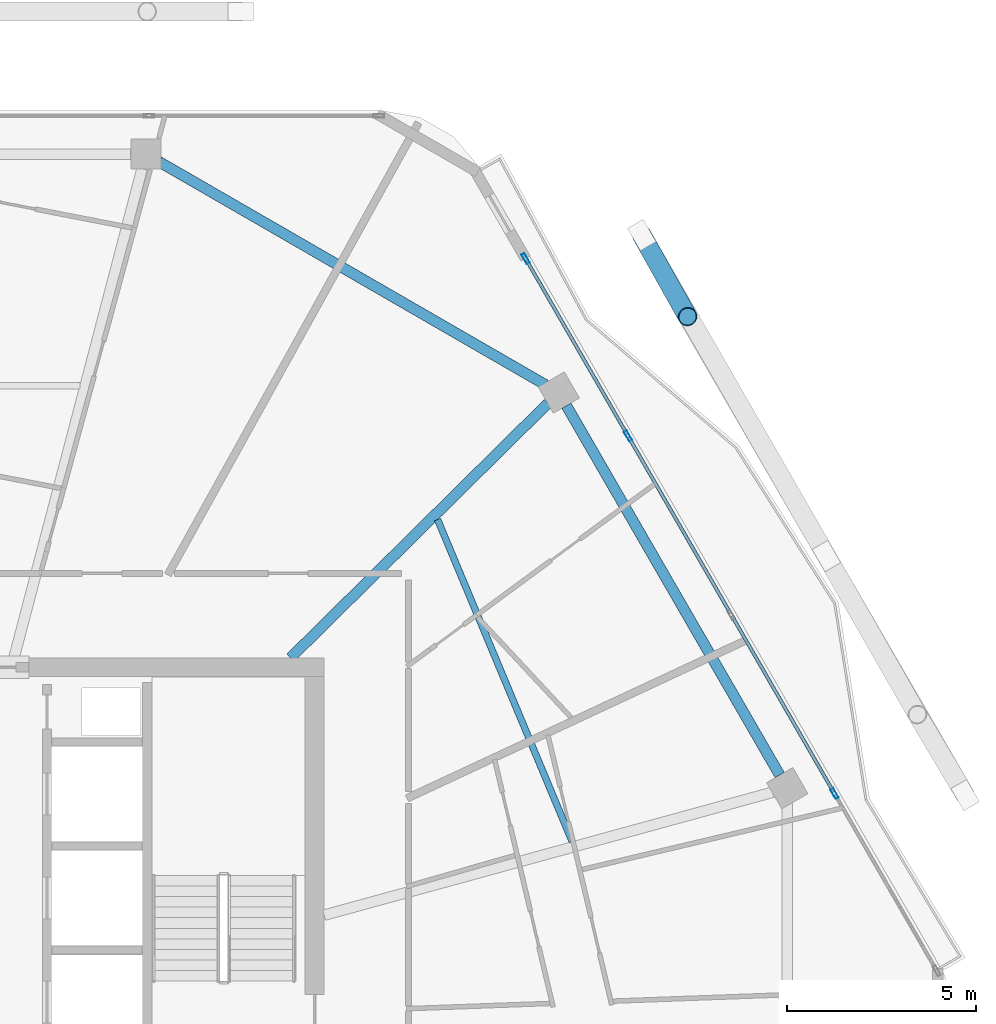
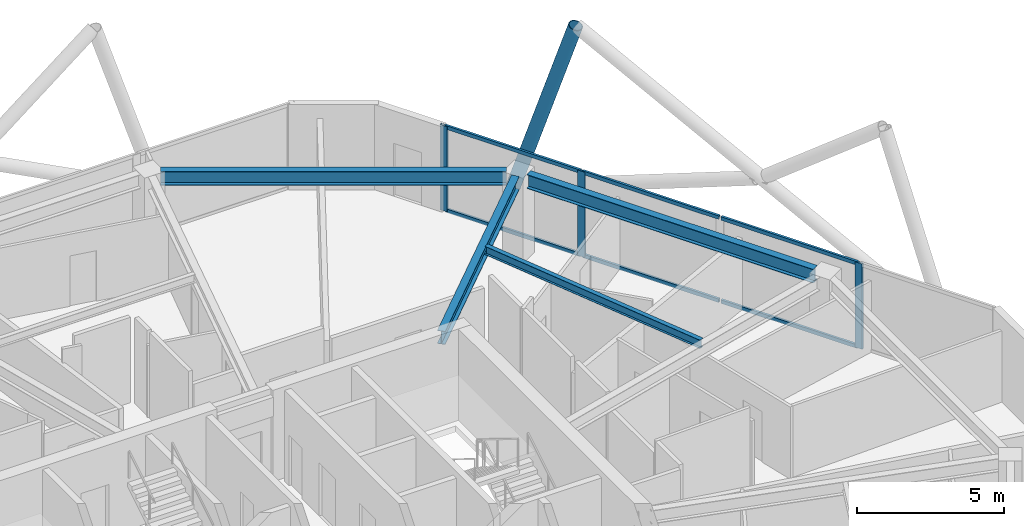
# One storey, part 12 of 23: 10 members, 4 beams, 1 element without a shape of its own.
"""IFC4 building model written with IfcOpenShell, lengths in metres."""

from ifc_helpers import new_model, si_unit, direction, frame, origin, origin_2d, place, context, subcontext, project, spatial, hollow_rectangle, hollow_circle, i_section, extrude, material, material_profile, profile_set, type_object, element, aggregate, save


model = new_model("IFC4")

# Units and contexts
model_context = context("Model", 3, precision=1e-05, world=origin(), true_north=direction((0.0, 1.0)))
body_context = subcontext(model_context, "Body", "Model", "MODEL_VIEW")
ifc_project = project(units=[si_unit("LENGTHUNIT", "METRE"), si_unit("AREAUNIT", "SQUARE_METRE"), si_unit("VOLUMEUNIT", "CUBIC_METRE"), si_unit("PLANEANGLEUNIT", "RADIAN"), si_unit("MASSUNIT", "GRAM", prefix="KILO")], contexts=[model_context])

# Site, building, storey
site_placement = place(None, origin())
site = spatial("IfcSite", under=ifc_project, at=site_placement, CompositionType="ELEMENT")
building_placement = place(site_placement, origin())
building = spatial("IfcBuilding", under=site, at=building_placement, Name="Zuhravey Tower", CompositionType="ELEMENT")
storey_placement = place(building_placement, frame((0.0, 0.0, 331.0)))
storey = spatial("IfcBuildingStorey", under=building, at=storey_placement, Name="L84", CompositionType="ELEMENT", Elevation=331.0)

# Curtain wall, members
ifc_material_1 = material(Name="Thermally broken anodised aluminium", Category="aluminium")
curtain_wall_type = type_object("IfcCurtainWallType", Name="Zone 3-4 High-Rise Curtain Wall CW4", PredefinedType="NOTDEFINED", material=ifc_material_1)
curtain_wall_placement = place(storey_placement, origin())
curtain_wall = element("IfcCurtainWall", 1, at=curtain_wall_placement, inside=storey, type_object=curtain_wall_type, Name="L84 CW4 CW-L84-F1-1", PredefinedType="NOTDEFINED")
ifc_material_2 = material(Name="Anodised aluminium", Category="aluminium")
ifc_material_profile_1 = material_profile(ifc_material_2, hollow_rectangle(XDim=0.090087890625, YDim=0.284912109375, WallThickness=0.0048828125, at=origin_2d()), Name="ALU-RHS-90x285x5")
ifc_profile_set_1 = profile_set([ifc_material_profile_1], Name="Anodised aluminium")
member_type_1 = type_object("IfcMemberType", Name="Curtain-Wall Mullion 90x180", PredefinedType="MULLION", material=ifc_profile_set_1)
member_1_placement = place(storey_placement, frame((52.076171875, 52.303466796875, 0.0), z_axis=(0.0, 0.0, 1.0), x_axis=(0.866024394206, 0.500001748638, 0.0)))
member_1 = element("IfcMember", 2, at=member_1_placement, type_object=member_type_1, Name="CW4 mullion 1", PredefinedType="MULLION", context=body_context, shape_type="SweptSolid", body=[
    extrude(hollow_rectangle(XDim=0.090087890625, YDim=0.284912109375, WallThickness=0.0048828125, at=origin_2d()), origin(), (0.0, 0.0, 1.0), 3.550048828125),
])
member_2_placement = place(storey_placement, frame((54.7822265625, 47.6162109375, 0.0), z_axis=(0.0, 0.0, 1.0), x_axis=(0.866024394206, 0.500001748638, 0.0)))
member_2 = element("IfcMember", 3, at=member_2_placement, type_object=member_type_1, Name="CW4 mullion 2", PredefinedType="MULLION", context=body_context, shape_type="SweptSolid", body=[
    extrude(hollow_rectangle(XDim=0.090087890625, YDim=0.284912109375, WallThickness=0.0048828125, at=origin_2d()), origin(), (0.0, 0.0, 1.0), 3.550048828125),
])
member_3_placement = place(storey_placement, frame((60.23974609375, 38.163818359375, 0.0), z_axis=(0.0, 0.0, 1.0), x_axis=(0.866024394206, 0.500001748638, 0.0)))
member_3 = element("IfcMember", 4, at=member_3_placement, type_object=member_type_1, Name="CW4 mullion 4", PredefinedType="MULLION", context=body_context, shape_type="SweptSolid", body=[
    extrude(hollow_rectangle(XDim=0.090087890625, YDim=0.284912109375, WallThickness=0.0048828125, at=origin_2d()), origin(), (0.0, 0.0, 1.0), 3.550048828125),
])
ifc_material_profile_2 = material_profile(ifc_material_2, hollow_rectangle(XDim=0.090087890625, YDim=0.14990234375, WallThickness=0.0048828125, at=origin_2d()), Name="ALU-RHS-90x150x5")
ifc_profile_set_2 = profile_set([ifc_material_profile_2], Name="Anodised aluminium")
member_type_2 = type_object("IfcMemberType", Name="Curtain-Wall Transom 90x150", PredefinedType="USERDEFINED", material=ifc_profile_set_2)
member_4_placement = place(storey_placement, frame((52.0986328125, 52.264404296875, 0.044921875), z_axis=(0.499987164874, -0.866032814021, 0.0), x_axis=(0.866032814021, 0.499987164874, 0.0)))
member_4 = element("IfcMember", 5, at=member_4_placement, type_object=member_type_2, Name="CW4 transom 1.1", ObjectType="TRANSOM", PredefinedType="USERDEFINED", context=body_context, shape_type="SweptSolid", body=[
    extrude(hollow_rectangle(XDim=0.090087890625, YDim=0.14990234375, WallThickness=0.0048828125, at=origin_2d()), origin(), (0.0, 0.0, 1.0), 5.322509765625),
])
member_5_placement = place(storey_placement, frame((52.0986328125, 52.264404296875, 3.5048828125), z_axis=(0.499987164874, -0.866032814021, 0.0), x_axis=(0.866032814021, 0.499987164874, 0.0)))
member_5 = element("IfcMember", 6, at=member_5_placement, type_object=member_type_2, Name="CW4 transom 1.2", ObjectType="TRANSOM", PredefinedType="USERDEFINED", context=body_context, shape_type="SweptSolid", body=[
    extrude(hollow_rectangle(XDim=0.090087890625, YDim=0.14990234375, WallThickness=0.0048828125, at=origin_2d()), origin(), (0.0, 0.0, 1.0), 5.322509765625),
])
member_6_placement = place(storey_placement, frame((54.8046875, 47.5771484375, 0.044921875), z_axis=(0.500028254249, -0.866009090571, 0.0), x_axis=(0.866009090571, 0.500028254249, 0.0)))
member_6 = element("IfcMember", 7, at=member_6_placement, type_object=member_type_2, Name="CW4 transom 2.1", ObjectType="TRANSOM", PredefinedType="USERDEFINED", context=body_context, shape_type="SweptSolid", body=[
    extrude(hollow_rectangle(XDim=0.090087890625, YDim=0.14990234375, WallThickness=0.0048828125, at=origin_2d()), origin(), (0.0, 0.0, 1.0), 5.367431640625),
])
member_7_placement = place(storey_placement, frame((54.8046875, 47.5771484375, 3.5048828125), z_axis=(0.500028254249, -0.866009090571, 0.0), x_axis=(0.866009090571, 0.500028254249, 0.0)))
member_7 = element("IfcMember", 8, at=member_7_placement, type_object=member_type_2, Name="CW4 transom 2.2", ObjectType="TRANSOM", PredefinedType="USERDEFINED", context=body_context, shape_type="SweptSolid", body=[
    extrude(hollow_rectangle(XDim=0.090087890625, YDim=0.14990234375, WallThickness=0.0048828125, at=origin_2d()), origin(), (0.0, 0.0, 1.0), 5.367431640625),
])
member_8_placement = place(storey_placement, frame((57.533447265625, 42.85107421875, 0.044921875), z_axis=(0.500008558112, -0.8660204627, 0.0), x_axis=(0.8660204627, 0.500008558112, 0.0)))
member_8 = element("IfcMember", 9, at=member_8_placement, type_object=member_type_2, Name="CW4 transom 3.1", ObjectType="TRANSOM", PredefinedType="USERDEFINED", context=body_context, shape_type="SweptSolid", body=[
    extrude(hollow_rectangle(XDim=0.090087890625, YDim=0.14990234375, WallThickness=0.0048828125, at=origin_2d()), origin(), (0.0, 0.0, 1.0), 5.36767578125),
])
member_9_placement = place(storey_placement, frame((57.533447265625, 42.85107421875, 3.5048828125), z_axis=(0.500008558112, -0.8660204627, 0.0), x_axis=(0.8660204627, 0.500008558112, 0.0)))
member_9 = element("IfcMember", 10, at=member_9_placement, type_object=member_type_2, Name="CW4 transom 3.2", ObjectType="TRANSOM", PredefinedType="USERDEFINED", context=body_context, shape_type="SweptSolid", body=[
    extrude(hollow_rectangle(XDim=0.090087890625, YDim=0.14990234375, WallThickness=0.0048828125, at=origin_2d()), origin(), (0.0, 0.0, 1.0), 5.36767578125),
])
aggregate(curtain_wall, [member_1, member_2, member_3, member_4, member_5, member_6, member_7, member_8, member_9])

# Member
ifc_material_3 = material(Name="Steel SM355", Category="steel")
ifc_material_profile_3 = material_profile(ifc_material_3, hollow_circle(Radius=0.25390625, WallThickness=0.02490234375, at=origin_2d()), Name="CHS-508.0x25")
ifc_profile_set_3 = profile_set([ifc_material_profile_3], Name="Steel SM355")
member_type_3 = type_object("IfcMemberType", Name="Exoskeleton Zone 4 Diagrid CHS508x25", PredefinedType="BRACE", material=ifc_profile_set_3)
member_10_placement = place(storey_placement, frame((55.148681640625, 52.921630859375, -0.447998046875), z_axis=(0.151975128537, -0.270740195693, 0.950580510395), x_axis=(0.872010411555, 0.48948732582, 0.0)))
element("IfcMember", 11, at=member_10_placement, inside=storey, type_object=member_type_3, Name="L84 Face 1 Diagrid Brace 4", PredefinedType="BRACE", context=body_context, shape_type="SweptSolid", body=[
    extrude(hollow_circle(Radius=0.25390625, WallThickness=0.02490234375, at=origin_2d()), origin(), (0.0, 0.0, 1.0), 7.961669921875),
])

# Beams
ifc_material_profile_4 = material_profile(ifc_material_3, i_section(OverallWidth=0.280029296875, OverallDepth=0.580078125, WebThickness=0.011962890625, FlangeThickness=0.01904296875, at=origin_2d()), Name="H-580x280x12x19")
ifc_profile_set_4 = profile_set([ifc_material_profile_4], Name="Steel SM355")
beam_type_1 = type_object("IfcBeamType", Name="Perimeter Ring Beam H580x280", PredefinedType="BEAM", material=ifc_profile_set_4)
beam_1_placement = place(storey_placement, frame((58.7919921875, 38.6513671875, 3.260009765625), z_axis=(-0.500006198144, 0.866021825255, 0.0), x_axis=(-0.866021825255, -0.500006198144, 0.0)))
element("IfcBeam", 12, at=beam_1_placement, inside=storey, type_object=beam_type_1, Name="L84 PB4 BM-L84-PB-01", PredefinedType="BEAM", context=body_context, shape_type="SweptSolid", body=[
    extrude(i_section(OverallWidth=0.280029296875, OverallDepth=0.580078125, WebThickness=0.011962890625, FlangeThickness=0.01904296875, at=origin_2d()), origin(), (0.0, 0.0, 1.0), 11.271240234375),
])
beam_2_placement = place(storey_placement, frame((52.605712890625, 48.963134765625, 3.260009765625), z_axis=(-0.866023977509, 0.500002470373, 0.0), x_axis=(-0.500002470373, -0.866023977509, 0.0)))
element("IfcBeam", 13, at=beam_2_placement, inside=storey, type_object=beam_type_1, Name="L84 PB4 BM-L84-PB-02", PredefinedType="BEAM", context=body_context, shape_type="SweptSolid", body=[
    extrude(i_section(OverallWidth=0.280029296875, OverallDepth=0.580078125, WebThickness=0.011962890625, FlangeThickness=0.01904296875, at=origin_2d()), origin(), (0.0, 0.0, 1.0), 11.798828125),
])
ifc_material_profile_5 = material_profile(ifc_material_3, i_section(OverallWidth=0.280029296875, OverallDepth=0.550048828125, WebThickness=0.010986328125, FlangeThickness=0.01806640625, at=origin_2d()), Name="H-550x280x11x18")
ifc_profile_set_5 = profile_set([ifc_material_profile_5], Name="Steel SM355")
beam_type_2 = type_object("IfcBeamType", Name="Radial Primary Girder H550x280", PredefinedType="BEAM", material=ifc_profile_set_5)
beam_3_placement = place(storey_placement, frame((45.865234375, 41.7529296875, 3.27490234375), z_axis=(0.711153035666, 0.703037239314, 0.0), x_axis=(-0.703037239314, 0.711153035666, 0.0)))
element("IfcBeam", 14, at=beam_3_placement, inside=storey, type_object=beam_type_2, Name="L84 RG4 BM-L84-RAD-02", PredefinedType="BEAM", context=body_context, shape_type="SweptSolid", body=[
    extrude(i_section(OverallWidth=0.280029296875, OverallDepth=0.550048828125, WebThickness=0.010986328125, FlangeThickness=0.01806640625, at=origin_2d()), origin(), (0.0, 0.0, 1.0), 9.566162109375),
])
ifc_material_profile_6 = material_profile(ifc_material_3, i_section(OverallWidth=0.175048828125, OverallDepth=0.35009765625, WebThickness=0.007080078125, FlangeThickness=0.010986328125, at=origin_2d()), Name="H-350x175x7x11")
ifc_profile_set_6 = profile_set([ifc_material_profile_6], Name="Steel SM355")
beam_type_3 = type_object("IfcBeamType", Name="Secondary Floor Joist H350x175", PredefinedType="JOIST", material=ifc_profile_set_6)
beam_4_placement = place(storey_placement, frame((53.307373046875, 36.891845703125, 3.375), z_axis=(-0.385657891576, 0.922641853953, 0.0), x_axis=(-0.922641853953, -0.385657891576, 0.0)))
element("IfcBeam", 15, at=beam_4_placement, inside=storey, type_object=beam_type_3, Name="L84 SJ3 BM-L84-SJ-01-1", PredefinedType="JOIST", context=body_context, shape_type="SweptSolid", body=[
    extrude(i_section(OverallWidth=0.175048828125, OverallDepth=0.35009765625, WebThickness=0.007080078125, FlangeThickness=0.010986328125, at=origin_2d()), origin(), (0.0, 0.0, 1.0), 9.226806640625),
])

save(model, "model.ifc")
